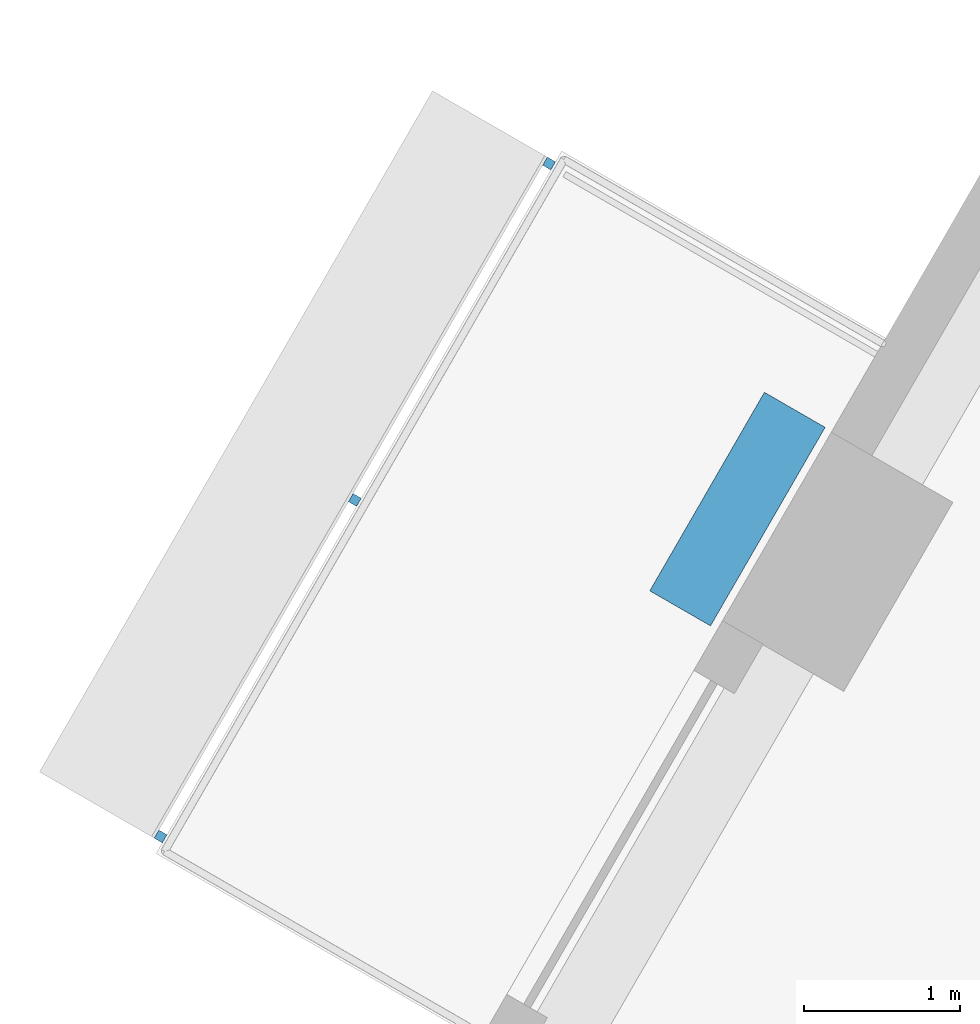
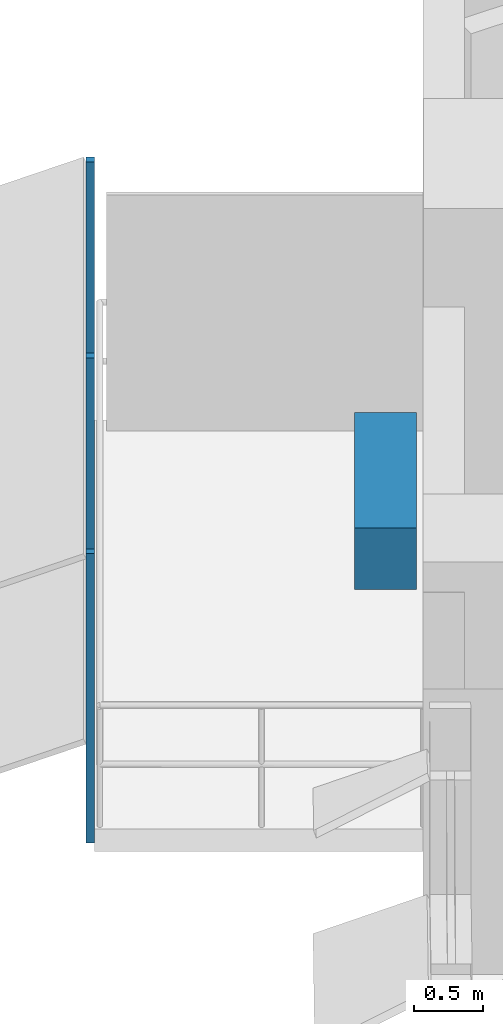
# One storey, part 11 of 14: 4 discrete accessories.
"""IFC4 building model written with IfcOpenShell, lengths in metres."""

import ifcopenshell
import ifcopenshell.guid

model = None  # the IFC model being written
_history = None  # IfcOwnerHistory: only IFC2X3 demands one
_inside = {}  # id of a spatial element -> (the spatial element, [elements in it])
_under = {}  # id of a project, library or spatial element -> (it, [spatial elements below it])
_declared = {}  # id of a project -> (the project, [libraries it declares])
_typed = {}  # id of a type object -> (the type object, [elements of that type])
_made_of = {}  # id of a material, layer set ... -> (it, [elements and type objects made of it])


def new_model(schema):
    """Start an empty IFC model of exactly this schema.

    Asked for "IFC4X3", IfcOpenShell would pick the latest addendum, in which some entities
    have other attributes; the version numbers below select the first issue.
    IFC2X3 requires an IfcOwnerHistory on every rooted entity: one is made here for all.
    """
    global model, _history
    if schema == "IFC4X3":
        model = ifcopenshell.file(schema_version=(4, 3, 0, 0))
    else:
        model = ifcopenshell.file(schema=schema)
    _inside.clear()
    _under.clear()
    _declared.clear()
    _typed.clear()
    _made_of.clear()
    _history = None
    if model.schema == "IFC2X3":
        org = make("IfcOrganization", Name="unknown")
        user = make(
            "IfcPersonAndOrganization",
            ThePerson=make("IfcPerson", FamilyName="unknown"),
            TheOrganization=org,
        )
        app = make(
            "IfcApplication",
            ApplicationDeveloper=org,
            Version="unknown",
            ApplicationFullName="unknown",
            ApplicationIdentifier="unknown",
        )
        _history = make(
            "IfcOwnerHistory",
            OwningUser=user,
            OwningApplication=app,
            ChangeAction="ADDED",
            CreationDate=0,
        )
    return model


def make(cls, **values):
    """One entity of the class cls with the attributes given. An attribute that is None is left unset."""
    return model.create_entity(
        cls, **{name: value for name, value in values.items() if value is not None}
    )


def rooted(cls, **values):
    """An entity with a GlobalId (a new one), such as an element, a storey or a relation."""
    return make(cls, GlobalId=ifcopenshell.guid.new(), OwnerHistory=_history, **values)


def si_unit(unit_type, name, prefix=None):
    """IfcSIUnit, for example si_unit("LENGTHUNIT", "METRE", prefix="MILLI")."""
    return make("IfcSIUnit", UnitType=unit_type, Prefix=prefix, Name=name)


def assignment(units):
    """IfcUnitAssignment: the units of a project."""
    return None if units is None else make("IfcUnitAssignment", Units=units)


def point(xyz):
    """IfcCartesianPoint."""
    return None if xyz is None else make("IfcCartesianPoint", Coordinates=xyz)


def direction(xyz):
    """IfcDirection."""
    return None if xyz is None else make("IfcDirection", DirectionRatios=xyz)


def frame(location, z_axis=None, x_axis=None):
    """IfcAxis2Placement3D, a coordinate frame: its origin and axes. An axis left out is left unset."""
    return make(
        "IfcAxis2Placement3D",
        Location=point(location),
        Axis=direction(z_axis),
        RefDirection=direction(x_axis),
    )


def frame_2d(location, x_axis=None):
    """IfcAxis2Placement2D, a coordinate frame in the plane: its origin and x axis."""
    return make(
        "IfcAxis2Placement2D", Location=point(location), RefDirection=direction(x_axis)
    )


def origin():
    """The frame at (0, 0, 0) with its axes left unset."""
    return frame((0.0, 0.0, 0.0))


def origin_2d():
    """The frame at (0, 0) in the plane with its x axis left unset."""
    return frame_2d((0.0, 0.0))


def place(relative_to, where):
    """IfcLocalPlacement: puts the frame where relative to a parent placement (None: the world)."""
    return make(
        "IfcLocalPlacement", PlacementRelTo=relative_to, RelativePlacement=where
    )


def context(
    kind, dimensions, precision=None, world=None, true_north=None, identifier=None
):
    """IfcGeometricRepresentationContext, for example the 3D "Model" context."""
    return make(
        "IfcGeometricRepresentationContext",
        ContextIdentifier=identifier,
        ContextType=kind,
        CoordinateSpaceDimension=dimensions,
        Precision=precision,
        WorldCoordinateSystem=world,
        TrueNorth=true_north,
    )


def subcontext(parent, identifier, kind, view, scale=None):
    """IfcGeometricRepresentationSubContext, for example "Body" below "Model"."""
    return make(
        "IfcGeometricRepresentationSubContext",
        ContextIdentifier=identifier,
        ContextType=kind,
        ParentContext=parent,
        TargetScale=scale,
        TargetView=view,
    )


def project(units=None, contexts=None):
    """IfcProject with its units and contexts."""
    return rooted(
        "IfcProject",
        Name="project",
        RepresentationContexts=contexts,
        UnitsInContext=assignment(units),
    )


def spatial(cls, under=None, at=None, **own):
    """A site, building, storey or space (cls), placed at a placement, below another one or the project."""
    s = rooted(cls, ObjectPlacement=at, **own)
    if under is not None:
        _under.setdefault(under.id(), (under, []))[1].append(s)
    return s


def profile(cls, at=None, kind="AREA", **sizes):
    """A parametric profile (cls). Its sizes go by their IFC names, for example OverallWidth=200.0."""
    return make(cls, ProfileType=kind, Position=at, **sizes)


def rectangle(**sizes):
    """IfcRectangleProfileDef."""
    return profile("IfcRectangleProfileDef", **sizes)


def extrude(swept, where, along, depth):
    """IfcExtrudedAreaSolid: the profile swept, set in the frame where, extruded along a direction by depth."""
    return make(
        "IfcExtrudedAreaSolid",
        SweptArea=swept,
        Position=where,
        ExtrudedDirection=direction(along),
        Depth=depth,
    )


def shape(context_of_items, identifier, shape_type, items):
    """IfcShapeRepresentation: the items that make up one representation, for example the "Body"."""
    return make(
        "IfcShapeRepresentation",
        ContextOfItems=context_of_items,
        RepresentationIdentifier=identifier,
        RepresentationType=shape_type,
        Items=items,
    )


def material(Name=None, Category=None):
    """IfcMaterial."""
    return make("IfcMaterial", Name=Name, Category=Category)


def made_of(thing, what):
    """Note that an element or type object is made of a material, layer set ...; save() writes the relation."""
    if what is not None:
        _made_of.setdefault(what.id(), (what, []))[1].append(thing)
    return thing


def type_object(cls, material=None, **own):
    """A type object (cls), such as IfcWallType, which elements share."""
    return made_of(rooted(cls, **own), material)


def element(
    cls,
    number,
    at=None,
    inside=None,
    cuts=None,
    type_object=None,
    material=None,
    context=None,
    identifier="Body",
    shape_type=None,
    held_by="IfcProductDefinitionShape",
    body=None,
    shapes=None,
    **own,
):
    """One element of the class cls, such as IfcWall. Its Tag is "e" and its number.

    at: its placement. inside: the storey or other place that contains it. cuts: it is an
    opening in that element (IfcRelVoidsElement). A single representation is given by context,
    identifier, shape_type and body (its items); several are given by shapes. held_by: the class
    of the entity that holds the representations. save() writes the other relations.
    """
    e = rooted(cls, Tag="e%d" % number, ObjectPlacement=at, **own)
    if body is not None:
        shapes = [shape(context, identifier, shape_type, body)]
    if shapes is not None:
        e.Representation = make(held_by, Representations=shapes)
    if inside is not None:
        _inside.setdefault(inside.id(), (inside, []))[1].append(e)
    if cuts is not None:
        rooted(
            "IfcRelVoidsElement", RelatingBuildingElement=cuts, RelatedOpeningElement=e
        )
    if type_object is not None:
        _typed.setdefault(type_object.id(), (type_object, []))[1].append(e)
    return made_of(e, material)


def aggregate(whole, parts):
    """IfcRelAggregates: a whole, such as a stair, and the parts it consists of."""
    return rooted("IfcRelAggregates", RelatingObject=whole, RelatedObjects=parts)


def save(model, path):
    """Write the relations noted so far, then the file.

    IfcRelAggregates (storeys below a building ...), IfcRelContainedInSpatialStructure (elements
    in a storey), IfcRelDefinesByType, IfcRelAssociatesMaterial and IfcRelDeclares: one each for
    every whole, place, type object, material and project.
    """
    for whole, parts in _under.values():
        aggregate(whole, parts)
    for where, things in _inside.values():
        rooted(
            "IfcRelContainedInSpatialStructure",
            RelatedElements=things,
            RelatingStructure=where,
        )
    for kind, things in _typed.values():
        rooted("IfcRelDefinesByType", RelatedObjects=things, RelatingType=kind)
    for what, things in _made_of.values():
        rooted("IfcRelAssociatesMaterial", RelatedObjects=things, RelatingMaterial=what)
    for by, libraries in _declared.values():
        rooted("IfcRelDeclares", RelatingContext=by, RelatedDefinitions=libraries)
    model.write(path)


model = new_model("IFC4")

# Units and contexts
model_context = context("Model", 3, precision=1e-05, world=origin(), true_north=direction((0.0, 1.0)))
body_context = subcontext(model_context, "Body", "Model", "MODEL_VIEW")
ifc_project = project(units=[si_unit("LENGTHUNIT", "METRE"), si_unit("AREAUNIT", "SQUARE_METRE"), si_unit("VOLUMEUNIT", "CUBIC_METRE"), si_unit("PLANEANGLEUNIT", "RADIAN"), si_unit("MASSUNIT", "GRAM", prefix="KILO")], contexts=[model_context])

# Site, building, storey
site_placement = place(None, origin())
site = spatial("IfcSite", under=ifc_project, at=site_placement, CompositionType="ELEMENT")
building_placement = place(site_placement, origin())
building = spatial("IfcBuilding", under=site, at=building_placement, Name="Nakaniwa Court", CompositionType="ELEMENT")
storey_placement = place(building_placement, frame((0.0, 0.0, 110.699951171875)))
storey = spatial("IfcBuildingStorey", under=building, at=storey_placement, Name="L29", CompositionType="ELEMENT", Elevation=110.699951171875)

# Discrete accessories
ifc_material_1 = material(Name="Black powder-coated steel bracket S275", Category="steel")
discrete_accessory_type_1 = type_object("IfcDiscreteAccessoryType", Name="Black metal louvre bracket", PredefinedType="BRACKET", material=ifc_material_1)
for number, where, z_axis, x_axis, name in (
    (1, (57.841064453125, 94.479736328125, -0.229736328125), (0.0, 0.0, 1.0), (-0.499974304289, -0.866040238702, 0.0), "L29 louvre bracket 01 1"),
    (2, (56.594970703125, 92.3212890625, -0.229736328125), (0.0, 0.0, 1.0), (-0.499974304289, -0.866040238702, 0.0), "L29 louvre bracket 01 2"),
    (3, (55.348876953125, 90.162841796875, -0.229736328125), (0.0, 0.0, 1.0), (-0.499974304289, -0.866040238702, 0.0), "L29 louvre bracket 01 3"),
):
    element("IfcDiscreteAccessory", number, at=place(storey_placement, frame(where, z_axis=z_axis, x_axis=x_axis)), inside=storey, type_object=discrete_accessory_type_1, Name=name, PredefinedType="BRACKET", context=body_context, shape_type="SweptSolid", body=[
        extrude(rectangle(XDim=0.06005859375, YDim=0.06005859375, at=origin_2d()), origin(), (0.0, 0.0, 1.0), 2.5751953125),
    ])
ifc_material_2 = material(Name="Precast concrete C40/50 planter with planted soil", Category="concrete")
discrete_accessory_type_2 = type_object("IfcDiscreteAccessoryType", Name="Planter box charcoal concrete", PredefinedType="USERDEFINED", material=ifc_material_2)
discrete_accessory_placement = place(storey_placement, frame((59.049560546875, 92.262939453125, -0.0498046875), z_axis=(0.0, 0.0, 1.0), x_axis=(-0.499974304289, -0.866040238702, 0.0)))
element("IfcDiscreteAccessory", 4, at=discrete_accessory_placement, inside=storey, type_object=discrete_accessory_type_2, Name="L29 balcony PLANTER 01", ObjectType="PLANTER", PredefinedType="USERDEFINED", context=body_context, shape_type="SweptSolid", body=[
    extrude(rectangle(XDim=1.470947265625, YDim=0.449951171875, at=origin_2d()), origin(), (0.0, 0.0, 1.0), 0.550048828125),
])

save(model, "model.ifc")
